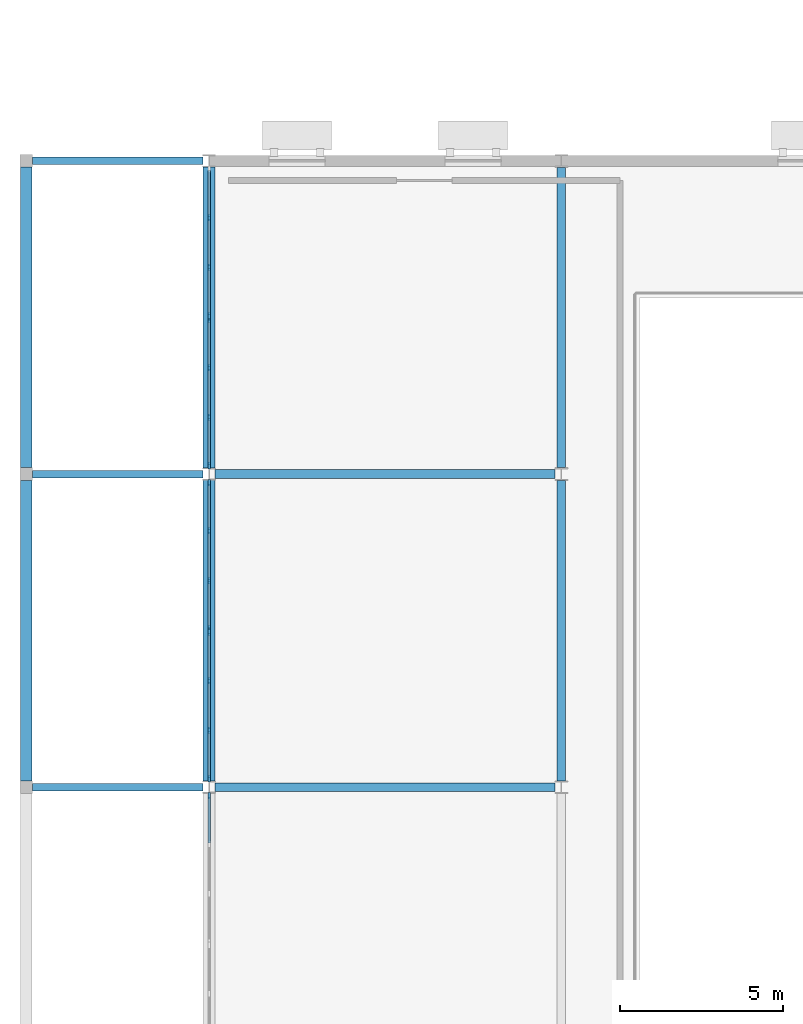
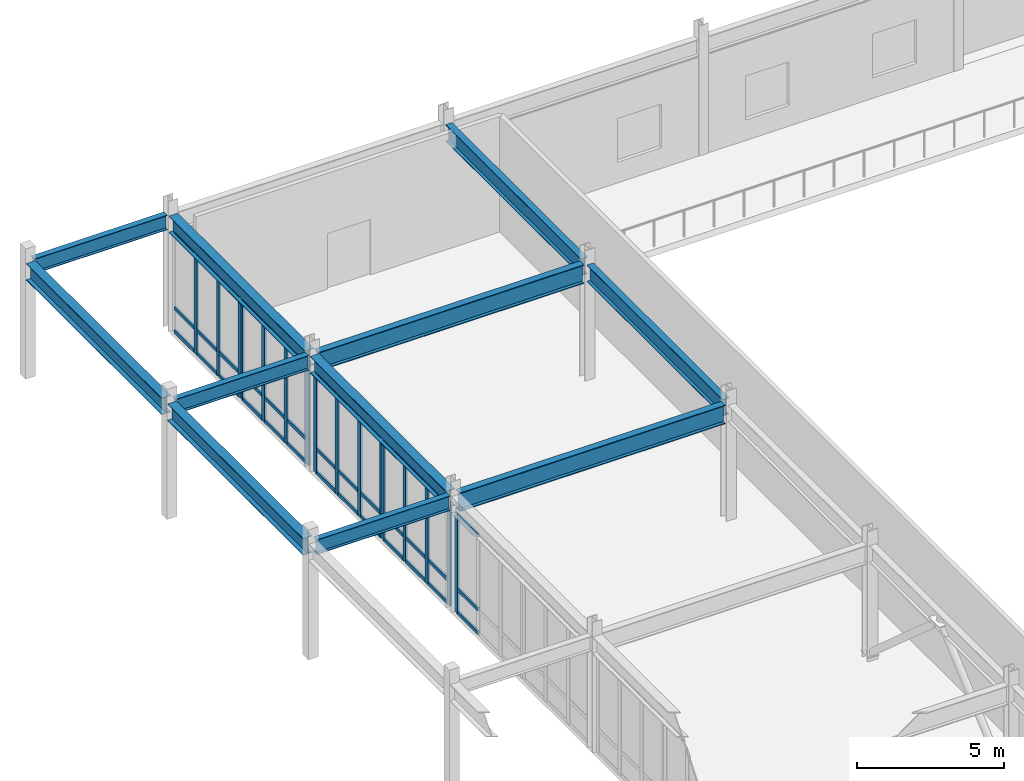
# One storey, part 21 of 68: 55 members, 11 beams, 5 elements without a shape of their own.
"""IFC4 building model written with IfcOpenShell, lengths in metres."""

from ifc_helpers import new_model, si_unit, direction, frame, origin, origin_2d, place, context, subcontext, project, spatial, rectangle, i_section, extrude, material, material_profile, profile_set, type_object, element, aggregate, save


model = new_model("IFC4")

# Units and contexts
model_context = context("Model", 3, precision=1e-05, world=origin(), true_north=direction((0.0, 1.0)))
body_context = subcontext(model_context, "Body", "Model", "MODEL_VIEW")
ifc_project = project(units=[si_unit("LENGTHUNIT", "METRE"), si_unit("AREAUNIT", "SQUARE_METRE"), si_unit("VOLUMEUNIT", "CUBIC_METRE"), si_unit("PLANEANGLEUNIT", "RADIAN"), si_unit("MASSUNIT", "GRAM", prefix="KILO")], contexts=[model_context])

# Site, building, storey
site_placement = place(None, origin())
site = spatial("IfcSite", under=ifc_project, at=site_placement, CompositionType="ELEMENT")
building_placement = place(site_placement, origin())
building = spatial("IfcBuilding", under=site, at=building_placement, Name="Veldera Park Congress Hotel", CompositionType="ELEMENT")
storey_placement = place(building_placement, frame((0.0, 0.0, 10.800048828125)))
storey = spatial("IfcBuildingStorey", under=building, at=storey_placement, Name="L02", CompositionType="ELEMENT", Elevation=10.800048828125)

# Beams
ifc_material_1 = material(Name="Steel ASTM A992 Gr.50", Category="steel")
ifc_material_profile_1 = material_profile(ifc_material_1, i_section(OverallWidth=0.22900390625, OverallDepth=0.612060546875, WebThickness=0.011962890625, FlangeThickness=0.01953125, at=origin_2d()), Name="W24X84")
ifc_profile_set_1 = profile_set([ifc_material_profile_1], Name="Steel ASTM A992 Gr.50")
beam_type_1 = type_object("IfcBeamType", Name="BM-W24", PredefinedType="BEAM", material=ifc_profile_set_1)
for number, where, z_axis, x_axis, name in (
    (1, (-83.60498046875, 7.800048828125, 4.493896484375), (1.0, 0.0, 0.0), (0.0, 1.0, 0.0), "L02 Girder BM-W24 859"),
    (2, (-83.60498046875, 17.39990234375, 4.493896484375), (1.0, 0.0, 0.0), (0.0, 1.0, 0.0), "L02 Girder BM-W24 865"),
    (3, (-83.60498046875, 27.0, 4.493896484375), (1.0, 0.0, 0.0), (0.0, 1.0, 0.0), "L02 Girder BM-W24 875"),
):
    element("IfcBeam", number, at=place(storey_placement, frame(where, z_axis=z_axis, x_axis=x_axis)), inside=storey, type_object=beam_type_1, Name=name, PredefinedType="BEAM", context=body_context, shape_type="SweptSolid", body=[
        extrude(i_section(OverallWidth=0.22900390625, OverallDepth=0.612060546875, WebThickness=0.011962890625, FlangeThickness=0.01953125, at=origin_2d()), origin(), (0.0, 0.0, 1.0), 5.218505859375),
    ])
ifc_material_profile_2 = material_profile(ifc_material_1, i_section(OverallWidth=0.256103515625, OverallDepth=0.693115234375, WebThickness=0.014404296875, FlangeThickness=0.023681640625, at=origin_2d()), Name="W27X114")
ifc_profile_set_2 = profile_set([ifc_material_profile_2], Name="Steel ASTM A992 Gr.50")
beam_type_2 = type_object("IfcBeamType", Name="BM-W27", PredefinedType="BEAM", material=ifc_profile_set_2)
beam_1_placement = place(storey_placement, frame((-67.39990234375, 7.993408203125, 4.453369140625), z_axis=(0.0, 1.0, 0.0), x_axis=(-1.0, 0.0, 0.0)))
element("IfcBeam", 4, at=beam_1_placement, inside=storey, type_object=beam_type_2, Name="L02 Girder BM-W27 946", PredefinedType="BEAM", context=body_context, shape_type="SweptSolid", body=[
    extrude(i_section(OverallWidth=0.256103515625, OverallDepth=0.693115234375, WebThickness=0.014404296875, FlangeThickness=0.023681640625, at=origin_2d()), origin(), (0.0, 0.0, 1.0), 9.213134765625),
])
beam_2_placement = place(storey_placement, frame((-67.39990234375, 17.593505859375, 4.453369140625), z_axis=(0.0, 1.0, 0.0), x_axis=(-1.0, 0.0, 0.0)))
element("IfcBeam", 5, at=beam_2_placement, inside=storey, type_object=beam_type_2, Name="L02 Girder BM-W27 947", PredefinedType="BEAM", context=body_context, shape_type="SweptSolid", body=[
    extrude(i_section(OverallWidth=0.256103515625, OverallDepth=0.693115234375, WebThickness=0.014404296875, FlangeThickness=0.023681640625, at=origin_2d()), origin(), (0.0, 0.0, 1.0), 9.2099609375),
])
ifc_material_profile_3 = material_profile(ifc_material_1, i_section(OverallWidth=0.35498046875, OverallDepth=0.696044921875, WebThickness=0.015380859375, FlangeThickness=0.02490234375, at=origin_2d()), Name="W27X146")
ifc_profile_set_3 = profile_set([ifc_material_profile_3], Name="Steel ASTM A992 Gr.50")
beam_type_3 = type_object("IfcBeamType", Name="BM-W27E", PredefinedType="BEAM", material=ifc_profile_set_3)
for number, where, z_axis, x_axis, name in (
    (6, (-83.800048828125, 7.9951171875, 4.451904296875), (0.0, 1.0, 0.0), (-1.0, 0.0, 0.0), "L02 Girder BM-W27E 928"),
    (7, (-83.800048828125, 17.594970703125, 4.451904296875), (0.0, 1.0, 0.0), (-1.0, 0.0, 0.0), "L02 Girder BM-W27E 929"),
):
    element("IfcBeam", number, at=place(storey_placement, frame(where, z_axis=z_axis, x_axis=x_axis)), inside=storey, type_object=beam_type_3, Name=name, PredefinedType="BEAM", context=body_context, shape_type="SweptSolid", body=[
        extrude(i_section(OverallWidth=0.35498046875, OverallDepth=0.696044921875, WebThickness=0.015380859375, FlangeThickness=0.02490234375, at=origin_2d()), origin(), (0.0, 0.0, 1.0), 9.2099609375),
    ])
beam_3_placement = place(storey_placement, frame((-78.199951171875, 7.98388671875, 4.451904296875), z_axis=(0.0, 1.0, 0.0), x_axis=(-1.0, 0.0, 0.0)))
element("IfcBeam", 8, at=beam_3_placement, inside=storey, type_object=beam_type_3, Name="L02 Girder BM-W27E 937", PredefinedType="BEAM", context=body_context, shape_type="SweptSolid", body=[
    extrude(i_section(OverallWidth=0.35498046875, OverallDepth=0.696044921875, WebThickness=0.015380859375, FlangeThickness=0.02490234375, at=origin_2d()), origin(), (0.0, 0.0, 1.0), 9.232177734375),
])
beam_4_placement = place(storey_placement, frame((-78.199951171875, 17.583984375, 4.451904296875), z_axis=(0.0, 1.0, 0.0), x_axis=(-1.0, 0.0, 0.0)))
element("IfcBeam", 9, at=beam_4_placement, inside=storey, type_object=beam_type_3, Name="L02 Girder BM-W27E 938", PredefinedType="BEAM", context=body_context, shape_type="SweptSolid", body=[
    extrude(i_section(OverallWidth=0.35498046875, OverallDepth=0.696044921875, WebThickness=0.015380859375, FlangeThickness=0.02490234375, at=origin_2d()), origin(), (0.0, 0.0, 1.0), 9.23193359375),
])
ifc_material_profile_4 = material_profile(ifc_material_1, i_section(OverallWidth=0.26708984375, OverallDepth=0.779052734375, WebThickness=0.0166015625, FlangeThickness=0.030029296875, at=origin_2d()), Name="W30X148")
ifc_profile_set_4 = profile_set([ifc_material_profile_4], Name="Steel ASTM A992 Gr.50")
beam_type_4 = type_object("IfcBeamType", Name="BM-W30", PredefinedType="BEAM", material=ifc_profile_set_4)
for number, where, z_axis, x_axis, name in (
    (10, (-78.013427734375, 7.800048828125, 4.410400390625), (1.0, 0.0, 0.0), (0.0, 1.0, 0.0), "L02 Girder BM-W30 860"),
    (11, (-78.013427734375, 17.39990234375, 4.410400390625), (1.0, 0.0, 0.0), (0.0, 1.0, 0.0), "L02 Girder BM-W30 866"),
):
    element("IfcBeam", number, at=place(storey_placement, frame(where, z_axis=z_axis, x_axis=x_axis)), inside=storey, type_object=beam_type_4, Name=name, PredefinedType="BEAM", context=body_context, shape_type="SweptSolid", body=[
        extrude(i_section(OverallWidth=0.26708984375, OverallDepth=0.779052734375, WebThickness=0.0166015625, FlangeThickness=0.030029296875, at=origin_2d()), origin(), (0.0, 0.0, 1.0), 10.4150390625),
    ])

# Curtain wall, members
ifc_material_2 = material(Name="Low-E Triple Insulating Glass Unit (SHGC 0.22)", Category="glass")
curtain_wall_type = type_object("IfcCurtainWallType", Name="CW-CNG", PredefinedType="NOTDEFINED", material=ifc_material_2)
curtain_wall_1_placement = place(storey_placement, origin())
curtain_wall_1 = element("IfcCurtainWall", 12, at=curtain_wall_1_placement, inside=storey, type_object=curtain_wall_type, Name="L02 Curtain Wall CW3-V1W-L02-045", PredefinedType="NOTDEFINED")
ifc_material_3 = material(Name="Anodised Aluminium Alloy 6063-T6", Category="aluminium")
ifc_material_profile_5 = material_profile(ifc_material_3, rectangle(XDim=0.074951171875, YDim=0.199951171875, at=origin_2d()), Name="ALU 75x200")
ifc_profile_set_5 = profile_set([ifc_material_profile_5], Name="Anodised Aluminium Alloy 6063-T6")
member_type_1 = type_object("IfcMemberType", Name="CWM-200", PredefinedType="MULLION", material=ifc_profile_set_5)
member_1_placement = place(storey_placement, frame((-78.199951171875, 25.255615234375, 0.0), z_axis=(0.0, 0.0, 1.0), x_axis=(1.0, 0.0, 0.0)))
member_1 = element("IfcMember", 13, at=member_1_placement, type_object=member_type_1, Name="CW-CNG mullion 2", PredefinedType="MULLION", context=body_context, shape_type="SweptSolid", body=[
    extrude(rectangle(XDim=0.074951171875, YDim=0.199951171875, at=origin_2d()), origin(), (0.0, 0.0, 1.0), 4.098876953125),
])
member_2_placement = place(storey_placement, frame((-78.199951171875, 23.7353515625, 0.0), z_axis=(0.0, 0.0, 1.0), x_axis=(1.0, 0.0, 0.0)))
member_2 = element("IfcMember", 14, at=member_2_placement, type_object=member_type_1, Name="CW-CNG mullion 3", PredefinedType="MULLION", context=body_context, shape_type="SweptSolid", body=[
    extrude(rectangle(XDim=0.074951171875, YDim=0.199951171875, at=origin_2d()), origin(), (0.0, 0.0, 1.0), 4.098876953125),
])
member_3_placement = place(storey_placement, frame((-78.199951171875, 22.25244140625, 0.0), z_axis=(0.0, 0.0, 1.0), x_axis=(1.0, 0.0, 0.0)))
member_3 = element("IfcMember", 15, at=member_3_placement, type_object=member_type_1, Name="CW-CNG mullion 4", PredefinedType="MULLION", context=body_context, shape_type="SweptSolid", body=[
    extrude(rectangle(XDim=0.074951171875, YDim=0.199951171875, at=origin_2d()), origin(), (0.0, 0.0, 1.0), 4.098876953125),
])

curtain_wall_2_placement = place(storey_placement, origin())
curtain_wall_2 = element("IfcCurtainWall", 16, at=curtain_wall_2_placement, inside=storey, type_object=curtain_wall_type, Name="L02 Curtain Wall CW3-V1W-L02-046", PredefinedType="NOTDEFINED")
member_4_placement = place(storey_placement, frame((-78.199951171875, 22.1474609375, 0.0), z_axis=(0.0, 0.0, 1.0), x_axis=(1.0, 0.0, 0.0)))
member_4 = element("IfcMember", 17, at=member_4_placement, type_object=member_type_1, Name="CW-CNG mullion 1", PredefinedType="MULLION", context=body_context, shape_type="SweptSolid", body=[
    extrude(rectangle(XDim=0.074951171875, YDim=0.199951171875, at=origin_2d()), origin(), (0.0, 0.0, 1.0), 4.098876953125),
])
member_5_placement = place(storey_placement, frame((-78.199951171875, 20.66455078125, 0.0), z_axis=(0.0, 0.0, 1.0), x_axis=(1.0, 0.0, 0.0)))
member_5 = element("IfcMember", 18, at=member_5_placement, type_object=member_type_1, Name="CW-CNG mullion 2", PredefinedType="MULLION", context=body_context, shape_type="SweptSolid", body=[
    extrude(rectangle(XDim=0.074951171875, YDim=0.199951171875, at=origin_2d()), origin(), (0.0, 0.0, 1.0), 4.098876953125),
])
member_6_placement = place(storey_placement, frame((-78.199951171875, 19.144287109375, 0.0), z_axis=(0.0, 0.0, 1.0), x_axis=(1.0, 0.0, 0.0)))
member_6 = element("IfcMember", 19, at=member_6_placement, type_object=member_type_1, Name="CW-CNG mullion 3", PredefinedType="MULLION", context=body_context, shape_type="SweptSolid", body=[
    extrude(rectangle(XDim=0.074951171875, YDim=0.199951171875, at=origin_2d()), origin(), (0.0, 0.0, 1.0), 4.098876953125),
])
member_7_placement = place(storey_placement, frame((-78.199951171875, 17.66162109375, 0.0), z_axis=(0.0, 0.0, 1.0), x_axis=(1.0, 0.0, 0.0)))
member_7 = element("IfcMember", 20, at=member_7_placement, type_object=member_type_1, Name="CW-CNG mullion 4", PredefinedType="MULLION", context=body_context, shape_type="SweptSolid", body=[
    extrude(rectangle(XDim=0.074951171875, YDim=0.199951171875, at=origin_2d()), origin(), (0.0, 0.0, 1.0), 4.098876953125),
])

curtain_wall_3_placement = place(storey_placement, origin())
curtain_wall_3 = element("IfcCurtainWall", 21, at=curtain_wall_3_placement, inside=storey, type_object=curtain_wall_type, Name="L02 Curtain Wall CW3-V1W-L02-047", PredefinedType="NOTDEFINED")
member_8_placement = place(storey_placement, frame((-78.199951171875, 17.138427734375, 0.0), z_axis=(0.0, 0.0, 1.0), x_axis=(1.0, 0.0, 0.0)))
member_8 = element("IfcMember", 22, at=member_8_placement, type_object=member_type_1, Name="CW-CNG mullion 1", PredefinedType="MULLION", context=body_context, shape_type="SweptSolid", body=[
    extrude(rectangle(XDim=0.074951171875, YDim=0.199951171875, at=origin_2d()), origin(), (0.0, 0.0, 1.0), 4.098876953125),
])
member_9_placement = place(storey_placement, frame((-78.199951171875, 15.65576171875, 0.0), z_axis=(0.0, 0.0, 1.0), x_axis=(1.0, 0.0, 0.0)))
member_9 = element("IfcMember", 23, at=member_9_placement, type_object=member_type_1, Name="CW-CNG mullion 2", PredefinedType="MULLION", context=body_context, shape_type="SweptSolid", body=[
    extrude(rectangle(XDim=0.074951171875, YDim=0.199951171875, at=origin_2d()), origin(), (0.0, 0.0, 1.0), 4.098876953125),
])
member_10_placement = place(storey_placement, frame((-78.199951171875, 14.13525390625, 0.0), z_axis=(0.0, 0.0, 1.0), x_axis=(1.0, 0.0, 0.0)))
member_10 = element("IfcMember", 24, at=member_10_placement, type_object=member_type_1, Name="CW-CNG mullion 3", PredefinedType="MULLION", context=body_context, shape_type="SweptSolid", body=[
    extrude(rectangle(XDim=0.074951171875, YDim=0.199951171875, at=origin_2d()), origin(), (0.0, 0.0, 1.0), 4.098876953125),
])
member_11_placement = place(storey_placement, frame((-78.199951171875, 12.652587890625, 0.0), z_axis=(0.0, 0.0, 1.0), x_axis=(1.0, 0.0, 0.0)))
member_11 = element("IfcMember", 25, at=member_11_placement, type_object=member_type_1, Name="CW-CNG mullion 4", PredefinedType="MULLION", context=body_context, shape_type="SweptSolid", body=[
    extrude(rectangle(XDim=0.074951171875, YDim=0.199951171875, at=origin_2d()), origin(), (0.0, 0.0, 1.0), 4.098876953125),
])

curtain_wall_4_placement = place(storey_placement, origin())
curtain_wall_4 = element("IfcCurtainWall", 26, at=curtain_wall_4_placement, inside=storey, type_object=curtain_wall_type, Name="L02 Curtain Wall CW3-V1W-L02-048", PredefinedType="NOTDEFINED")
member_12_placement = place(storey_placement, frame((-78.199951171875, 12.547607421875, 0.0), z_axis=(0.0, 0.0, 1.0), x_axis=(1.0, 0.0, 0.0)))
member_12 = element("IfcMember", 27, at=member_12_placement, type_object=member_type_1, Name="CW-CNG mullion 1", PredefinedType="MULLION", context=body_context, shape_type="SweptSolid", body=[
    extrude(rectangle(XDim=0.074951171875, YDim=0.199951171875, at=origin_2d()), origin(), (0.0, 0.0, 1.0), 4.098876953125),
])
member_13_placement = place(storey_placement, frame((-78.199951171875, 11.064697265625, 0.0), z_axis=(0.0, 0.0, 1.0), x_axis=(1.0, 0.0, 0.0)))
member_13 = element("IfcMember", 28, at=member_13_placement, type_object=member_type_1, Name="CW-CNG mullion 2", PredefinedType="MULLION", context=body_context, shape_type="SweptSolid", body=[
    extrude(rectangle(XDim=0.074951171875, YDim=0.199951171875, at=origin_2d()), origin(), (0.0, 0.0, 1.0), 4.098876953125),
])
member_14_placement = place(storey_placement, frame((-78.199951171875, 9.54443359375, 0.0), z_axis=(0.0, 0.0, 1.0), x_axis=(1.0, 0.0, 0.0)))
member_14 = element("IfcMember", 29, at=member_14_placement, type_object=member_type_1, Name="CW-CNG mullion 3", PredefinedType="MULLION", context=body_context, shape_type="SweptSolid", body=[
    extrude(rectangle(XDim=0.074951171875, YDim=0.199951171875, at=origin_2d()), origin(), (0.0, 0.0, 1.0), 4.098876953125),
])
member_15_placement = place(storey_placement, frame((-78.199951171875, 8.0615234375, 0.0), z_axis=(0.0, 0.0, 1.0), x_axis=(1.0, 0.0, 0.0)))
member_15 = element("IfcMember", 30, at=member_15_placement, type_object=member_type_1, Name="CW-CNG mullion 4", PredefinedType="MULLION", context=body_context, shape_type="SweptSolid", body=[
    extrude(rectangle(XDim=0.074951171875, YDim=0.199951171875, at=origin_2d()), origin(), (0.0, 0.0, 1.0), 4.098876953125),
])

# Curtain wall, member
curtain_wall_5_placement = place(storey_placement, origin())
curtain_wall_5 = element("IfcCurtainWall", 31, at=curtain_wall_5_placement, inside=storey, type_object=curtain_wall_type, Name="L02 Curtain Wall CW3-V1W-L02-049", PredefinedType="NOTDEFINED")
member_16_placement = place(storey_placement, frame((-78.199951171875, 7.53857421875, 0.0), z_axis=(0.0, 0.0, 1.0), x_axis=(1.0, 0.0, 0.0)))
member_16 = element("IfcMember", 32, at=member_16_placement, type_object=member_type_1, Name="CW-CNG mullion 1", PredefinedType="MULLION", context=body_context, shape_type="SweptSolid", body=[
    extrude(rectangle(XDim=0.074951171875, YDim=0.199951171875, at=origin_2d()), origin(), (0.0, 0.0, 1.0), 4.098876953125),
])

# Member
ifc_material_profile_6 = material_profile(ifc_material_3, rectangle(XDim=0.074951171875, YDim=0.14990234375, at=origin_2d()), Name="ALU 75x150")
ifc_profile_set_6 = profile_set([ifc_material_profile_6], Name="Anodised Aluminium Alloy 6063-T6")
member_type_2 = type_object("IfcMemberType", Name="CWT-150", PredefinedType="USERDEFINED", material=ifc_profile_set_6)
member_17_placement = place(storey_placement, frame((-78.199951171875, 26.700927734375, 0.037353515625), z_axis=(0.0, -1.0, 0.0), x_axis=(1.0, 0.0, 0.0)))
member_17 = element("IfcMember", 33, at=member_17_placement, type_object=member_type_2, Name="CW-CNG transom 1.1", ObjectType="TRANSOM", PredefinedType="USERDEFINED", context=body_context, shape_type="SweptSolid", body=[
    extrude(rectangle(XDim=0.074951171875, YDim=0.14990234375, at=origin_2d()), origin(), (0.0, 0.0, 1.0), 1.40771484375),
])

member_18_placement = place(storey_placement, frame((-78.199951171875, 26.700927734375, 1.0), z_axis=(0.0, -1.0, 0.0), x_axis=(1.0, 0.0, 0.0)))
member_18 = element("IfcMember", 34, at=member_18_placement, type_object=member_type_2, Name="CW-CNG transom 1.2", ObjectType="TRANSOM", PredefinedType="USERDEFINED", context=body_context, shape_type="SweptSolid", body=[
    extrude(rectangle(XDim=0.074951171875, YDim=0.14990234375, at=origin_2d()), origin(), (0.0, 0.0, 1.0), 1.40771484375),
])

member_19_placement = place(storey_placement, frame((-78.199951171875, 26.700927734375, 4.0615234375), z_axis=(0.0, -1.0, 0.0), x_axis=(1.0, 0.0, 0.0)))
member_19 = element("IfcMember", 35, at=member_19_placement, type_object=member_type_2, Name="CW-CNG transom 1.3", ObjectType="TRANSOM", PredefinedType="USERDEFINED", context=body_context, shape_type="SweptSolid", body=[
    extrude(rectangle(XDim=0.074951171875, YDim=0.14990234375, at=origin_2d()), origin(), (0.0, 0.0, 1.0), 1.40771484375),
])

member_20_placement = place(storey_placement, frame((-78.199951171875, 25.21826171875, 0.037353515625), z_axis=(0.0, -1.0, 0.0), x_axis=(1.0, 0.0, 0.0)))
member_20 = element("IfcMember", 36, at=member_20_placement, type_object=member_type_2, Name="CW-CNG transom 2.1", ObjectType="TRANSOM", PredefinedType="USERDEFINED", context=body_context, shape_type="SweptSolid", body=[
    extrude(rectangle(XDim=0.074951171875, YDim=0.14990234375, at=origin_2d()), origin(), (0.0, 0.0, 1.0), 1.4453125),
])

member_21_placement = place(storey_placement, frame((-78.199951171875, 25.21826171875, 1.0), z_axis=(0.0, -1.0, 0.0), x_axis=(1.0, 0.0, 0.0)))
member_21 = element("IfcMember", 37, at=member_21_placement, type_object=member_type_2, Name="CW-CNG transom 2.2", ObjectType="TRANSOM", PredefinedType="USERDEFINED", context=body_context, shape_type="SweptSolid", body=[
    extrude(rectangle(XDim=0.074951171875, YDim=0.14990234375, at=origin_2d()), origin(), (0.0, 0.0, 1.0), 1.4453125),
])

member_22_placement = place(storey_placement, frame((-78.199951171875, 25.21826171875, 4.0615234375), z_axis=(0.0, -1.0, 0.0), x_axis=(1.0, 0.0, 0.0)))
member_22 = element("IfcMember", 38, at=member_22_placement, type_object=member_type_2, Name="CW-CNG transom 2.3", ObjectType="TRANSOM", PredefinedType="USERDEFINED", context=body_context, shape_type="SweptSolid", body=[
    extrude(rectangle(XDim=0.074951171875, YDim=0.14990234375, at=origin_2d()), origin(), (0.0, 0.0, 1.0), 1.4453125),
])

member_23_placement = place(storey_placement, frame((-78.199951171875, 23.69775390625, 0.037353515625), z_axis=(0.0, -1.0, 0.0), x_axis=(1.0, 0.0, 0.0)))
member_23 = element("IfcMember", 39, at=member_23_placement, type_object=member_type_2, Name="CW-CNG transom 3.1", ObjectType="TRANSOM", PredefinedType="USERDEFINED", context=body_context, shape_type="SweptSolid", body=[
    extrude(rectangle(XDim=0.074951171875, YDim=0.14990234375, at=origin_2d()), origin(), (0.0, 0.0, 1.0), 1.40771484375),
])

member_24_placement = place(storey_placement, frame((-78.199951171875, 23.69775390625, 1.0), z_axis=(0.0, -1.0, 0.0), x_axis=(1.0, 0.0, 0.0)))
member_24 = element("IfcMember", 40, at=member_24_placement, type_object=member_type_2, Name="CW-CNG transom 3.2", ObjectType="TRANSOM", PredefinedType="USERDEFINED", context=body_context, shape_type="SweptSolid", body=[
    extrude(rectangle(XDim=0.074951171875, YDim=0.14990234375, at=origin_2d()), origin(), (0.0, 0.0, 1.0), 1.40771484375),
])

member_25_placement = place(storey_placement, frame((-78.199951171875, 23.69775390625, 4.0615234375), z_axis=(0.0, -1.0, 0.0), x_axis=(1.0, 0.0, 0.0)))
member_25 = element("IfcMember", 41, at=member_25_placement, type_object=member_type_2, Name="CW-CNG transom 3.3", ObjectType="TRANSOM", PredefinedType="USERDEFINED", context=body_context, shape_type="SweptSolid", body=[
    extrude(rectangle(XDim=0.074951171875, YDim=0.14990234375, at=origin_2d()), origin(), (0.0, 0.0, 1.0), 1.40771484375),
])

aggregate(curtain_wall_1, [member_1, member_2, member_3, member_17, member_18, member_19, member_20, member_21, member_22, member_23, member_24, member_25])

member_26_placement = place(storey_placement, frame((-78.199951171875, 22.110107421875, 0.037353515625), z_axis=(0.0, -1.0, 0.0), x_axis=(1.0, 0.0, 0.0)))
member_26 = element("IfcMember", 42, at=member_26_placement, type_object=member_type_2, Name="CW-CNG transom 1.1", ObjectType="TRANSOM", PredefinedType="USERDEFINED", context=body_context, shape_type="SweptSolid", body=[
    extrude(rectangle(XDim=0.074951171875, YDim=0.14990234375, at=origin_2d()), origin(), (0.0, 0.0, 1.0), 1.407958984375),
])

member_27_placement = place(storey_placement, frame((-78.199951171875, 22.110107421875, 1.0), z_axis=(0.0, -1.0, 0.0), x_axis=(1.0, 0.0, 0.0)))
member_27 = element("IfcMember", 43, at=member_27_placement, type_object=member_type_2, Name="CW-CNG transom 1.2", ObjectType="TRANSOM", PredefinedType="USERDEFINED", context=body_context, shape_type="SweptSolid", body=[
    extrude(rectangle(XDim=0.074951171875, YDim=0.14990234375, at=origin_2d()), origin(), (0.0, 0.0, 1.0), 1.407958984375),
])

member_28_placement = place(storey_placement, frame((-78.199951171875, 22.110107421875, 4.0615234375), z_axis=(0.0, -1.0, 0.0), x_axis=(1.0, 0.0, 0.0)))
member_28 = element("IfcMember", 44, at=member_28_placement, type_object=member_type_2, Name="CW-CNG transom 1.3", ObjectType="TRANSOM", PredefinedType="USERDEFINED", context=body_context, shape_type="SweptSolid", body=[
    extrude(rectangle(XDim=0.074951171875, YDim=0.14990234375, at=origin_2d()), origin(), (0.0, 0.0, 1.0), 1.407958984375),
])

member_29_placement = place(storey_placement, frame((-78.199951171875, 20.627197265625, 0.037353515625), z_axis=(0.0, -1.0, 0.0), x_axis=(1.0, 0.0, 0.0)))
member_29 = element("IfcMember", 45, at=member_29_placement, type_object=member_type_2, Name="CW-CNG transom 2.1", ObjectType="TRANSOM", PredefinedType="USERDEFINED", context=body_context, shape_type="SweptSolid", body=[
    extrude(rectangle(XDim=0.074951171875, YDim=0.14990234375, at=origin_2d()), origin(), (0.0, 0.0, 1.0), 1.4453125),
])

member_30_placement = place(storey_placement, frame((-78.199951171875, 20.627197265625, 1.0), z_axis=(0.0, -1.0, 0.0), x_axis=(1.0, 0.0, 0.0)))
member_30 = element("IfcMember", 46, at=member_30_placement, type_object=member_type_2, Name="CW-CNG transom 2.2", ObjectType="TRANSOM", PredefinedType="USERDEFINED", context=body_context, shape_type="SweptSolid", body=[
    extrude(rectangle(XDim=0.074951171875, YDim=0.14990234375, at=origin_2d()), origin(), (0.0, 0.0, 1.0), 1.4453125),
])

member_31_placement = place(storey_placement, frame((-78.199951171875, 20.627197265625, 4.0615234375), z_axis=(0.0, -1.0, 0.0), x_axis=(1.0, 0.0, 0.0)))
member_31 = element("IfcMember", 47, at=member_31_placement, type_object=member_type_2, Name="CW-CNG transom 2.3", ObjectType="TRANSOM", PredefinedType="USERDEFINED", context=body_context, shape_type="SweptSolid", body=[
    extrude(rectangle(XDim=0.074951171875, YDim=0.14990234375, at=origin_2d()), origin(), (0.0, 0.0, 1.0), 1.4453125),
])

member_32_placement = place(storey_placement, frame((-78.199951171875, 19.10693359375, 0.037353515625), z_axis=(0.0, -1.0, 0.0), x_axis=(1.0, 0.0, 0.0)))
member_32 = element("IfcMember", 48, at=member_32_placement, type_object=member_type_2, Name="CW-CNG transom 3.1", ObjectType="TRANSOM", PredefinedType="USERDEFINED", context=body_context, shape_type="SweptSolid", body=[
    extrude(rectangle(XDim=0.074951171875, YDim=0.14990234375, at=origin_2d()), origin(), (0.0, 0.0, 1.0), 1.407958984375),
])

member_33_placement = place(storey_placement, frame((-78.199951171875, 19.10693359375, 1.0), z_axis=(0.0, -1.0, 0.0), x_axis=(1.0, 0.0, 0.0)))
member_33 = element("IfcMember", 49, at=member_33_placement, type_object=member_type_2, Name="CW-CNG transom 3.2", ObjectType="TRANSOM", PredefinedType="USERDEFINED", context=body_context, shape_type="SweptSolid", body=[
    extrude(rectangle(XDim=0.074951171875, YDim=0.14990234375, at=origin_2d()), origin(), (0.0, 0.0, 1.0), 1.407958984375),
])

member_34_placement = place(storey_placement, frame((-78.199951171875, 19.10693359375, 4.0615234375), z_axis=(0.0, -1.0, 0.0), x_axis=(1.0, 0.0, 0.0)))
member_34 = element("IfcMember", 50, at=member_34_placement, type_object=member_type_2, Name="CW-CNG transom 3.3", ObjectType="TRANSOM", PredefinedType="USERDEFINED", context=body_context, shape_type="SweptSolid", body=[
    extrude(rectangle(XDim=0.074951171875, YDim=0.14990234375, at=origin_2d()), origin(), (0.0, 0.0, 1.0), 1.407958984375),
])

aggregate(curtain_wall_2, [member_4, member_5, member_6, member_7, member_26, member_27, member_28, member_29, member_30, member_31, member_32, member_33, member_34])

member_35_placement = place(storey_placement, frame((-78.199951171875, 17.10107421875, 0.037353515625), z_axis=(0.0, -1.0, 0.0), x_axis=(1.0, 0.0, 0.0)))
member_35 = element("IfcMember", 51, at=member_35_placement, type_object=member_type_2, Name="CW-CNG transom 1.1", ObjectType="TRANSOM", PredefinedType="USERDEFINED", context=body_context, shape_type="SweptSolid", body=[
    extrude(rectangle(XDim=0.074951171875, YDim=0.14990234375, at=origin_2d()), origin(), (0.0, 0.0, 1.0), 1.407958984375),
])

member_36_placement = place(storey_placement, frame((-78.199951171875, 17.10107421875, 1.0), z_axis=(0.0, -1.0, 0.0), x_axis=(1.0, 0.0, 0.0)))
member_36 = element("IfcMember", 52, at=member_36_placement, type_object=member_type_2, Name="CW-CNG transom 1.2", ObjectType="TRANSOM", PredefinedType="USERDEFINED", context=body_context, shape_type="SweptSolid", body=[
    extrude(rectangle(XDim=0.074951171875, YDim=0.14990234375, at=origin_2d()), origin(), (0.0, 0.0, 1.0), 1.407958984375),
])

member_37_placement = place(storey_placement, frame((-78.199951171875, 17.10107421875, 4.0615234375), z_axis=(0.0, -1.0, 0.0), x_axis=(1.0, 0.0, 0.0)))
member_37 = element("IfcMember", 53, at=member_37_placement, type_object=member_type_2, Name="CW-CNG transom 1.3", ObjectType="TRANSOM", PredefinedType="USERDEFINED", context=body_context, shape_type="SweptSolid", body=[
    extrude(rectangle(XDim=0.074951171875, YDim=0.14990234375, at=origin_2d()), origin(), (0.0, 0.0, 1.0), 1.407958984375),
])

member_38_placement = place(storey_placement, frame((-78.199951171875, 15.6181640625, 0.037353515625), z_axis=(0.0, -1.0, 0.0), x_axis=(1.0, 0.0, 0.0)))
member_38 = element("IfcMember", 54, at=member_38_placement, type_object=member_type_2, Name="CW-CNG transom 2.1", ObjectType="TRANSOM", PredefinedType="USERDEFINED", context=body_context, shape_type="SweptSolid", body=[
    extrude(rectangle(XDim=0.074951171875, YDim=0.14990234375, at=origin_2d()), origin(), (0.0, 0.0, 1.0), 1.4453125),
])

member_39_placement = place(storey_placement, frame((-78.199951171875, 15.6181640625, 1.0), z_axis=(0.0, -1.0, 0.0), x_axis=(1.0, 0.0, 0.0)))
member_39 = element("IfcMember", 55, at=member_39_placement, type_object=member_type_2, Name="CW-CNG transom 2.2", ObjectType="TRANSOM", PredefinedType="USERDEFINED", context=body_context, shape_type="SweptSolid", body=[
    extrude(rectangle(XDim=0.074951171875, YDim=0.14990234375, at=origin_2d()), origin(), (0.0, 0.0, 1.0), 1.4453125),
])

member_40_placement = place(storey_placement, frame((-78.199951171875, 15.6181640625, 4.0615234375), z_axis=(0.0, -1.0, 0.0), x_axis=(1.0, 0.0, 0.0)))
member_40 = element("IfcMember", 56, at=member_40_placement, type_object=member_type_2, Name="CW-CNG transom 2.3", ObjectType="TRANSOM", PredefinedType="USERDEFINED", context=body_context, shape_type="SweptSolid", body=[
    extrude(rectangle(XDim=0.074951171875, YDim=0.14990234375, at=origin_2d()), origin(), (0.0, 0.0, 1.0), 1.4453125),
])

member_41_placement = place(storey_placement, frame((-78.199951171875, 14.097900390625, 0.037353515625), z_axis=(0.0, -1.0, 0.0), x_axis=(1.0, 0.0, 0.0)))
member_41 = element("IfcMember", 57, at=member_41_placement, type_object=member_type_2, Name="CW-CNG transom 3.1", ObjectType="TRANSOM", PredefinedType="USERDEFINED", context=body_context, shape_type="SweptSolid", body=[
    extrude(rectangle(XDim=0.074951171875, YDim=0.14990234375, at=origin_2d()), origin(), (0.0, 0.0, 1.0), 1.407958984375),
])

member_42_placement = place(storey_placement, frame((-78.199951171875, 14.097900390625, 1.0), z_axis=(0.0, -1.0, 0.0), x_axis=(1.0, 0.0, 0.0)))
member_42 = element("IfcMember", 58, at=member_42_placement, type_object=member_type_2, Name="CW-CNG transom 3.2", ObjectType="TRANSOM", PredefinedType="USERDEFINED", context=body_context, shape_type="SweptSolid", body=[
    extrude(rectangle(XDim=0.074951171875, YDim=0.14990234375, at=origin_2d()), origin(), (0.0, 0.0, 1.0), 1.407958984375),
])

member_43_placement = place(storey_placement, frame((-78.199951171875, 14.097900390625, 4.0615234375), z_axis=(0.0, -1.0, 0.0), x_axis=(1.0, 0.0, 0.0)))
member_43 = element("IfcMember", 59, at=member_43_placement, type_object=member_type_2, Name="CW-CNG transom 3.3", ObjectType="TRANSOM", PredefinedType="USERDEFINED", context=body_context, shape_type="SweptSolid", body=[
    extrude(rectangle(XDim=0.074951171875, YDim=0.14990234375, at=origin_2d()), origin(), (0.0, 0.0, 1.0), 1.407958984375),
])

aggregate(curtain_wall_3, [member_8, member_9, member_10, member_11, member_35, member_36, member_37, member_38, member_39, member_40, member_41, member_42, member_43])

member_44_placement = place(storey_placement, frame((-78.199951171875, 12.510009765625, 0.037353515625), z_axis=(0.0, -1.0, 0.0), x_axis=(1.0, 0.0, 0.0)))
member_44 = element("IfcMember", 60, at=member_44_placement, type_object=member_type_2, Name="CW-CNG transom 1.1", ObjectType="TRANSOM", PredefinedType="USERDEFINED", context=body_context, shape_type="SweptSolid", body=[
    extrude(rectangle(XDim=0.074951171875, YDim=0.14990234375, at=origin_2d()), origin(), (0.0, 0.0, 1.0), 1.407958984375),
])

member_45_placement = place(storey_placement, frame((-78.199951171875, 12.510009765625, 1.0), z_axis=(0.0, -1.0, 0.0), x_axis=(1.0, 0.0, 0.0)))
member_45 = element("IfcMember", 61, at=member_45_placement, type_object=member_type_2, Name="CW-CNG transom 1.2", ObjectType="TRANSOM", PredefinedType="USERDEFINED", context=body_context, shape_type="SweptSolid", body=[
    extrude(rectangle(XDim=0.074951171875, YDim=0.14990234375, at=origin_2d()), origin(), (0.0, 0.0, 1.0), 1.407958984375),
])

member_46_placement = place(storey_placement, frame((-78.199951171875, 12.510009765625, 4.0615234375), z_axis=(0.0, -1.0, 0.0), x_axis=(1.0, 0.0, 0.0)))
member_46 = element("IfcMember", 62, at=member_46_placement, type_object=member_type_2, Name="CW-CNG transom 1.3", ObjectType="TRANSOM", PredefinedType="USERDEFINED", context=body_context, shape_type="SweptSolid", body=[
    extrude(rectangle(XDim=0.074951171875, YDim=0.14990234375, at=origin_2d()), origin(), (0.0, 0.0, 1.0), 1.407958984375),
])

member_47_placement = place(storey_placement, frame((-78.199951171875, 11.027099609375, 0.037353515625), z_axis=(0.0, -1.0, 0.0), x_axis=(1.0, 0.0, 0.0)))
member_47 = element("IfcMember", 63, at=member_47_placement, type_object=member_type_2, Name="CW-CNG transom 2.1", ObjectType="TRANSOM", PredefinedType="USERDEFINED", context=body_context, shape_type="SweptSolid", body=[
    extrude(rectangle(XDim=0.074951171875, YDim=0.14990234375, at=origin_2d()), origin(), (0.0, 0.0, 1.0), 1.4453125),
])

member_48_placement = place(storey_placement, frame((-78.199951171875, 11.027099609375, 1.0), z_axis=(0.0, -1.0, 0.0), x_axis=(1.0, 0.0, 0.0)))
member_48 = element("IfcMember", 64, at=member_48_placement, type_object=member_type_2, Name="CW-CNG transom 2.2", ObjectType="TRANSOM", PredefinedType="USERDEFINED", context=body_context, shape_type="SweptSolid", body=[
    extrude(rectangle(XDim=0.074951171875, YDim=0.14990234375, at=origin_2d()), origin(), (0.0, 0.0, 1.0), 1.4453125),
])

member_49_placement = place(storey_placement, frame((-78.199951171875, 11.027099609375, 4.0615234375), z_axis=(0.0, -1.0, 0.0), x_axis=(1.0, 0.0, 0.0)))
member_49 = element("IfcMember", 65, at=member_49_placement, type_object=member_type_2, Name="CW-CNG transom 2.3", ObjectType="TRANSOM", PredefinedType="USERDEFINED", context=body_context, shape_type="SweptSolid", body=[
    extrude(rectangle(XDim=0.074951171875, YDim=0.14990234375, at=origin_2d()), origin(), (0.0, 0.0, 1.0), 1.4453125),
])

member_50_placement = place(storey_placement, frame((-78.199951171875, 9.5068359375, 0.037353515625), z_axis=(0.0, -1.0, 0.0), x_axis=(1.0, 0.0, 0.0)))
member_50 = element("IfcMember", 66, at=member_50_placement, type_object=member_type_2, Name="CW-CNG transom 3.1", ObjectType="TRANSOM", PredefinedType="USERDEFINED", context=body_context, shape_type="SweptSolid", body=[
    extrude(rectangle(XDim=0.074951171875, YDim=0.14990234375, at=origin_2d()), origin(), (0.0, 0.0, 1.0), 1.40771484375),
])

member_51_placement = place(storey_placement, frame((-78.199951171875, 9.5068359375, 1.0), z_axis=(0.0, -1.0, 0.0), x_axis=(1.0, 0.0, 0.0)))
member_51 = element("IfcMember", 67, at=member_51_placement, type_object=member_type_2, Name="CW-CNG transom 3.2", ObjectType="TRANSOM", PredefinedType="USERDEFINED", context=body_context, shape_type="SweptSolid", body=[
    extrude(rectangle(XDim=0.074951171875, YDim=0.14990234375, at=origin_2d()), origin(), (0.0, 0.0, 1.0), 1.40771484375),
])

member_52_placement = place(storey_placement, frame((-78.199951171875, 9.5068359375, 4.0615234375), z_axis=(0.0, -1.0, 0.0), x_axis=(1.0, 0.0, 0.0)))
member_52 = element("IfcMember", 68, at=member_52_placement, type_object=member_type_2, Name="CW-CNG transom 3.3", ObjectType="TRANSOM", PredefinedType="USERDEFINED", context=body_context, shape_type="SweptSolid", body=[
    extrude(rectangle(XDim=0.074951171875, YDim=0.14990234375, at=origin_2d()), origin(), (0.0, 0.0, 1.0), 1.40771484375),
])

aggregate(curtain_wall_4, [member_12, member_13, member_14, member_15, member_44, member_45, member_46, member_47, member_48, member_49, member_50, member_51, member_52])

member_53_placement = place(storey_placement, frame((-78.199951171875, 7.5009765625, 0.037353515625), z_axis=(0.0, -1.0, 0.0), x_axis=(1.0, 0.0, 0.0)))
member_53 = element("IfcMember", 69, at=member_53_placement, type_object=member_type_2, Name="CW-CNG transom 1.1", ObjectType="TRANSOM", PredefinedType="USERDEFINED", context=body_context, shape_type="SweptSolid", body=[
    extrude(rectangle(XDim=0.074951171875, YDim=0.14990234375, at=origin_2d()), origin(), (0.0, 0.0, 1.0), 1.40771484375),
])

member_54_placement = place(storey_placement, frame((-78.199951171875, 7.5009765625, 1.0), z_axis=(0.0, -1.0, 0.0), x_axis=(1.0, 0.0, 0.0)))
member_54 = element("IfcMember", 70, at=member_54_placement, type_object=member_type_2, Name="CW-CNG transom 1.2", ObjectType="TRANSOM", PredefinedType="USERDEFINED", context=body_context, shape_type="SweptSolid", body=[
    extrude(rectangle(XDim=0.074951171875, YDim=0.14990234375, at=origin_2d()), origin(), (0.0, 0.0, 1.0), 1.40771484375),
])

member_55_placement = place(storey_placement, frame((-78.199951171875, 7.5009765625, 4.0615234375), z_axis=(0.0, -1.0, 0.0), x_axis=(1.0, 0.0, 0.0)))
member_55 = element("IfcMember", 71, at=member_55_placement, type_object=member_type_2, Name="CW-CNG transom 1.3", ObjectType="TRANSOM", PredefinedType="USERDEFINED", context=body_context, shape_type="SweptSolid", body=[
    extrude(rectangle(XDim=0.074951171875, YDim=0.14990234375, at=origin_2d()), origin(), (0.0, 0.0, 1.0), 1.40771484375),
])

aggregate(curtain_wall_5, [member_16, member_53, member_54, member_55])

save(model, "model.ifc")
